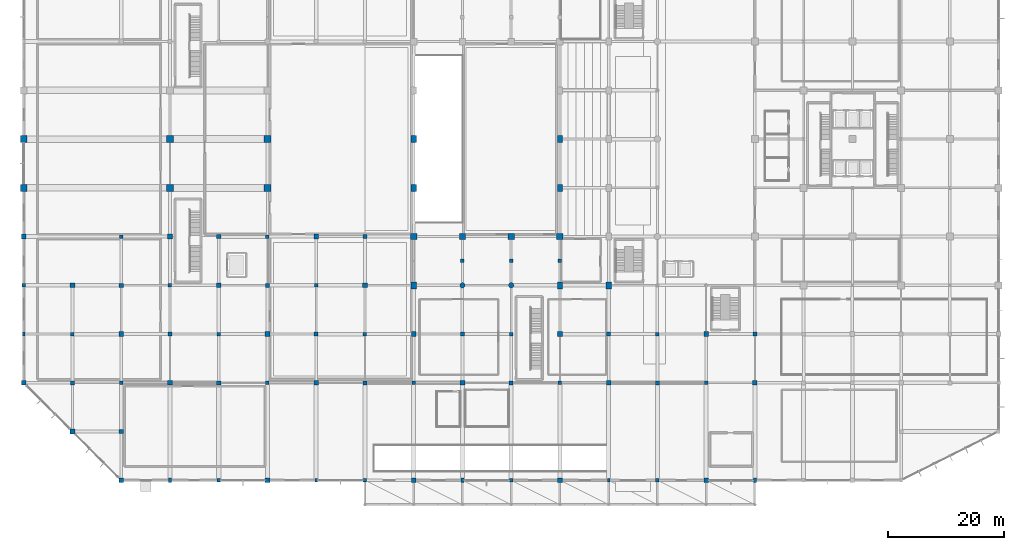
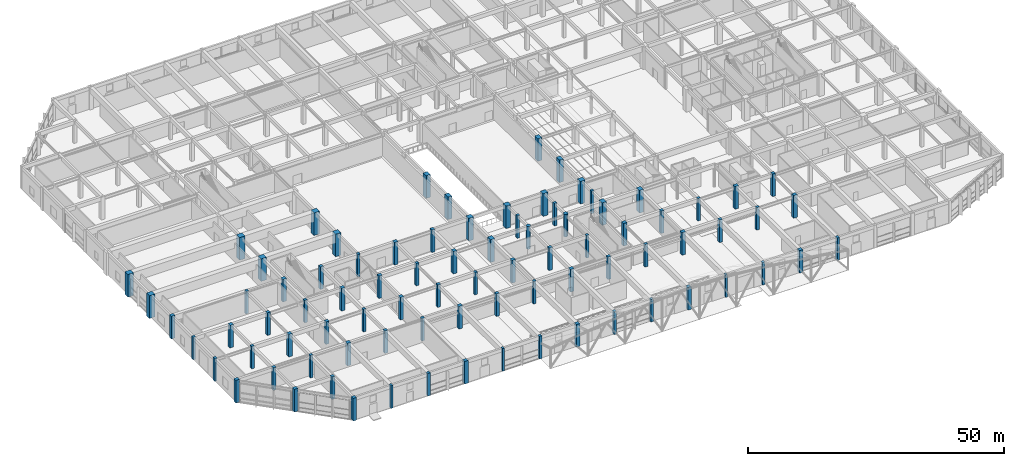
# One storey, part 1 of 62: 85 columns.
"""IFC4 building model written with IfcOpenShell, lengths in metres."""

from ifc_helpers import new_model, si_unit, direction, frame, origin, origin_2d, place, context, subcontext, project, spatial, rectangle, circle, extrude, material, material_profile, profile_set, type_object, element, save


model = new_model("IFC4")

# Units and contexts
model_context = context("Model", 3, precision=1e-05, world=origin(), true_north=direction((0.0, 1.0)))
body_context = subcontext(model_context, "Body", "Model", "MODEL_VIEW")
ifc_project = project(units=[si_unit("LENGTHUNIT", "METRE"), si_unit("AREAUNIT", "SQUARE_METRE"), si_unit("VOLUMEUNIT", "CUBIC_METRE"), si_unit("PLANEANGLEUNIT", "RADIAN"), si_unit("MASSUNIT", "GRAM", prefix="KILO")], contexts=[model_context])

# Site, building, storey
site_placement = place(None, origin())
site = spatial("IfcSite", under=ifc_project, at=site_placement, CompositionType="ELEMENT")
building_placement = place(site_placement, origin())
building = spatial("IfcBuilding", under=site, at=building_placement, Name="Xuanlan Plaza Opera House", CompositionType="ELEMENT")
storey_placement = place(building_placement, origin())
storey = spatial("IfcBuildingStorey", under=building, at=storey_placement, Name="L00", CompositionType="ELEMENT", Elevation=0.0)

# Columns
ifc_material_1 = material(Name="Concrete C60", Category="concrete")
ifc_material_profile_1 = material_profile(ifc_material_1, rectangle(XDim=1.199951171875, YDim=1.199951171875, at=origin_2d()), Name="RC-COL 1200x1200")
ifc_profile_set_1 = profile_set([ifc_material_profile_1], Name="Concrete C60")
column_type_1 = type_object("IfcColumnType", Name="STR-COL-C-02", PredefinedType="COLUMN", material=ifc_profile_set_1)
for number, where, z_axis, x_axis, name in (
    (1, (0.0, 50.39990234375, 0.0), (0.0, 0.0, 1.0), (1.0, 0.0, 0.0), "Column L00 1-G"),
    (2, (0.0, 58.800048828125, 0.0), (0.0, 0.0, 1.0), (1.0, 0.0, 0.0), "Column L00 1-H"),
    (3, (25.199951171875, 50.39990234375, 0.0), (0.0, 0.0, 1.0), (1.0, 0.0, 0.0), "Column L00 4-G"),
    (4, (25.199951171875, 58.800048828125, 0.0), (0.0, 0.0, 1.0), (1.0, 0.0, 0.0), "Column L00 4-H"),
    (5, (42.0, 50.39990234375, 0.0), (0.0, 0.0, 1.0), (1.0, 0.0, 0.0), "Column L00 6-G"),
    (6, (42.0, 58.800048828125, 0.0), (0.0, 0.0, 1.0), (1.0, 0.0, 0.0), "Column L00 6-H"),
):
    element("IfcColumn", number, at=place(storey_placement, frame(where, z_axis=z_axis, x_axis=x_axis)), inside=storey, type_object=column_type_1, Name=name, PredefinedType="COLUMN", context=body_context, shape_type="SweptSolid", body=[
        extrude(rectangle(XDim=1.199951171875, YDim=1.199951171875, at=origin_2d()), origin(), (0.0, 0.0, 1.0), 5.39990234375),
    ])
ifc_material_2 = material(Name="Concrete C50", Category="concrete")
ifc_material_profile_2 = material_profile(ifc_material_2, rectangle(XDim=1.10009765625, YDim=1.10009765625, at=origin_2d()), Name="RC-COL 1100x1100")
ifc_profile_set_2 = profile_set([ifc_material_profile_2], Name="Concrete C50")
column_type_2 = type_object("IfcColumnType", Name="STR-COL-C-03", PredefinedType="COLUMN", material=ifc_profile_set_2)
for number, where, z_axis, x_axis, name in (
    (7, (67.199951171875, 42.0, 0.0), (0.0, 0.0, 1.0), (1.0, 0.0, 0.0), "Column L00 9-F"),
    (8, (75.60009765625, 42.0, 0.0), (0.0, 0.0, 1.0), (1.0, 0.0, 0.0), "Column L00 10-F"),
    (9, (84.0, 42.0, 0.0), (0.0, 0.0, 1.0), (1.0, 0.0, 0.0), "Column L00 11-F"),
    (10, (92.39990234375, 42.0, 0.0), (0.0, 0.0, 1.0), (1.0, 0.0, 0.0), "Column L00 12-F"),
):
    element("IfcColumn", number, at=place(storey_placement, frame(where, z_axis=z_axis, x_axis=x_axis)), inside=storey, type_object=column_type_2, Name=name, PredefinedType="COLUMN", context=body_context, shape_type="SweptSolid", body=[
        extrude(rectangle(XDim=1.10009765625, YDim=1.10009765625, at=origin_2d()), origin(), (0.0, 0.0, 1.0), 5.39990234375),
    ])
ifc_material_3 = material(Name="Concrete C40", Category="concrete")
ifc_material_profile_3 = material_profile(ifc_material_3, rectangle(XDim=0.800048828125, YDim=0.800048828125, at=origin_2d()), Name="RC-COL 800x800")
ifc_profile_set_3 = profile_set([ifc_material_profile_3], Name="Concrete C40")
column_type_3 = type_object("IfcColumnType", Name="STR-COL-C-06", PredefinedType="COLUMN", material=ifc_profile_set_3)
for number, where, z_axis, x_axis, name in (
    (11, (0.0, 16.800048828125, 0.0), (0.0, 0.0, 1.0), (1.0, 0.0, 0.0), "Column L00 1-C"),
    (12, (0.0, 42.0, 0.0), (0.0, 0.0, 1.0), (1.0, 0.0, 0.0), "Column L00 1-F"),
    (13, (8.39990234375, 8.39990234375, 0.0), (0.0, 0.0, 1.0), (1.0, 0.0, 0.0), "Column L00 2-B"),
    (14, (8.39990234375, 33.60009765625, 0.0), (0.0, 0.0, 1.0), (1.0, 0.0, 0.0), "Column L00 2-E"),
    (15, (16.800048828125, 0.0, 0.0), (0.0, 0.0, 1.0), (1.0, 0.0, 0.0), "Column L00 3-A"),
    (16, (16.800048828125, 25.199951171875, 0.0), (0.0, 0.0, 1.0), (1.0, 0.0, 0.0), "Column L00 3-D"),
    (17, (25.199951171875, 16.800048828125, 0.0), (0.0, 0.0, 1.0), (1.0, 0.0, 0.0), "Column L00 4-C"),
    (18, (25.199951171875, 42.0, 0.0), (0.0, 0.0, 1.0), (1.0, 0.0, 0.0), "Column L00 4-F"),
    (19, (33.60009765625, 33.60009765625, 0.0), (0.0, 0.0, 1.0), (1.0, 0.0, 0.0), "Column L00 5-E"),
    (20, (42.0, 0.0, 0.0), (0.0, 0.0, 1.0), (1.0, 0.0, 0.0), "Column L00 6-A"),
    (21, (42.0, 25.199951171875, 0.0), (0.0, 0.0, 1.0), (1.0, 0.0, 0.0), "Column L00 6-D"),
    (22, (50.39990234375, 16.800048828125, 0.0), (0.0, 0.0, 1.0), (1.0, 0.0, 0.0), "Column L00 7-C"),
    (23, (50.39990234375, 42.0, 0.0), (0.0, 0.0, 1.0), (1.0, 0.0, 0.0), "Column L00 7-F"),
    (24, (58.800048828125, 33.60009765625, 0.0), (0.0, 0.0, 1.0), (1.0, 0.0, 0.0), "Column L00 8-E"),
    (25, (67.199951171875, 0.0, 0.0), (0.0, 0.0, 1.0), (1.0, 0.0, 0.0), "Column L00 9-A"),
    (26, (67.199951171875, 25.199951171875, 0.0), (0.0, 0.0, 1.0), (1.0, 0.0, 0.0), "Column L00 9-D"),
    (27, (75.60009765625, 16.800048828125, 0.0), (0.0, 0.0, 1.0), (1.0, 0.0, 0.0), "Column L00 10-C"),
    (28, (92.39990234375, 0.0, 0.0), (0.0, 0.0, 1.0), (1.0, 0.0, 0.0), "Column L00 12-A"),
    (29, (92.39990234375, 25.199951171875, 0.0), (0.0, 0.0, 1.0), (1.0, 0.0, 0.0), "Column L00 12-D"),
    (30, (100.800048828125, 16.800048828125, 0.0), (0.0, 0.0, 1.0), (1.0, 0.0, 0.0), "Column L00 13-C"),
    (31, (117.60009765625, 0.0, 0.0), (0.0, 0.0, 1.0), (1.0, 0.0, 0.0), "Column L00 15-A"),
    (32, (117.60009765625, 25.199951171875, 0.0), (0.0, 0.0, 1.0), (1.0, 0.0, 0.0), "Column L00 15-D"),
    (33, (126.0, 16.800048828125, 0.0), (0.0, 0.0, 1.0), (1.0, 0.0, 0.0), "Column L00 16-C"),
):
    element("IfcColumn", number, at=place(storey_placement, frame(where, z_axis=z_axis, x_axis=x_axis)), inside=storey, type_object=column_type_3, Name=name, PredefinedType="COLUMN", context=body_context, shape_type="SweptSolid", body=[
        extrude(rectangle(XDim=0.800048828125, YDim=0.800048828125, at=origin_2d()), origin(), (0.0, 0.0, 1.0), 5.39990234375),
    ])
ifc_material_profile_4 = material_profile(ifc_material_3, rectangle(XDim=0.699951171875, YDim=0.699951171875, at=origin_2d()), Name="RC-COL 700x700")
ifc_profile_set_4 = profile_set([ifc_material_profile_4], Name="Concrete C40")
column_type_4 = type_object("IfcColumnType", Name="STR-COL-C-07", PredefinedType="COLUMN", material=ifc_profile_set_4)
for number, where, z_axis, x_axis, name in (
    (34, (8.39990234375, 16.800048828125, 0.0), (0.0, 0.0, 1.0), (1.0, 0.0, 0.0), "Column L00 2-C"),
    (35, (16.800048828125, 8.39990234375, 0.0), (0.0, 0.0, 1.0), (1.0, 0.0, 0.0), "Column L00 3-B"),
    (36, (16.800048828125, 33.60009765625, 0.0), (0.0, 0.0, 1.0), (1.0, 0.0, 0.0), "Column L00 3-E"),
    (37, (25.199951171875, 25.199951171875, 0.0), (0.0, 0.0, 1.0), (1.0, 0.0, 0.0), "Column L00 4-D"),
    (38, (33.60009765625, 16.800048828125, 0.0), (0.0, 0.0, 1.0), (1.0, 0.0, 0.0), "Column L00 5-C"),
    (39, (33.60009765625, 42.0, 0.0), (0.0, 0.0, 1.0), (1.0, 0.0, 0.0), "Column L00 5-F"),
    (40, (42.0, 33.60009765625, 0.0), (0.0, 0.0, 1.0), (1.0, 0.0, 0.0), "Column L00 6-E"),
    (41, (50.39990234375, 25.199951171875, 0.0), (0.0, 0.0, 1.0), (1.0, 0.0, 0.0), "Column L00 7-D"),
    (42, (58.800048828125, 16.800048828125, 0.0), (0.0, 0.0, 1.0), (1.0, 0.0, 0.0), "Column L00 8-C"),
    (43, (58.800048828125, 42.0, 0.0), (0.0, 0.0, 1.0), (1.0, 0.0, 0.0), "Column L00 8-F"),
    (44, (75.60009765625, 25.199951171875, 0.0), (0.0, 0.0, 1.0), (1.0, 0.0, 0.0), "Column L00 10-D"),
    (45, (84.0, 16.800048828125, 0.0), (0.0, 0.0, 1.0), (1.0, 0.0, 0.0), "Column L00 11-C"),
    (46, (100.800048828125, 25.199951171875, 0.0), (0.0, 0.0, 1.0), (1.0, 0.0, 0.0), "Column L00 13-D"),
    (47, (109.199951171875, 16.800048828125, 0.0), (0.0, 0.0, 1.0), (1.0, 0.0, 0.0), "Column L00 14-C"),
    (48, (126.0, 25.199951171875, 0.0), (0.0, 0.0, 1.0), (1.0, 0.0, 0.0), "Column L00 16-D"),
):
    element("IfcColumn", number, at=place(storey_placement, frame(where, z_axis=z_axis, x_axis=x_axis)), inside=storey, type_object=column_type_4, Name=name, PredefinedType="COLUMN", context=body_context, shape_type="SweptSolid", body=[
        extrude(rectangle(XDim=0.699951171875, YDim=0.699951171875, at=origin_2d()), origin(), (0.0, 0.0, 1.0), 5.39990234375),
    ])
ifc_material_profile_5 = material_profile(ifc_material_3, rectangle(XDim=0.60009765625, YDim=0.60009765625, at=origin_2d()), Name="RC-COL 600x600")
ifc_profile_set_5 = profile_set([ifc_material_profile_5], Name="Concrete C40")
column_type_5 = type_object("IfcColumnType", Name="STR-COL-C-08", PredefinedType="COLUMN", material=ifc_profile_set_5)
for number, where, z_axis, x_axis, name in (
    (49, (0.0, 33.60009765625, 0.0), (0.0, 0.0, 1.0), (1.0, 0.0, 0.0), "Column L00 1-E"),
    (50, (8.39990234375, 25.199951171875, 0.0), (0.0, 0.0, 1.0), (1.0, 0.0, 0.0), "Column L00 2-D"),
    (51, (16.800048828125, 16.800048828125, 0.0), (0.0, 0.0, 1.0), (1.0, 0.0, 0.0), "Column L00 3-C"),
    (52, (16.800048828125, 42.0, 0.0), (0.0, 0.0, 1.0), (1.0, 0.0, 0.0), "Column L00 3-F"),
    (53, (25.199951171875, 33.60009765625, 0.0), (0.0, 0.0, 1.0), (1.0, 0.0, 0.0), "Column L00 4-E"),
    (54, (33.60009765625, 0.0, 0.0), (0.0, 0.0, 1.0), (1.0, 0.0, 0.0), "Column L00 5-A"),
    (55, (33.60009765625, 25.199951171875, 0.0), (0.0, 0.0, 1.0), (1.0, 0.0, 0.0), "Column L00 5-D"),
    (56, (42.0, 16.800048828125, 0.0), (0.0, 0.0, 1.0), (1.0, 0.0, 0.0), "Column L00 6-C"),
    (57, (42.0, 42.0, 0.0), (0.0, 0.0, 1.0), (1.0, 0.0, 0.0), "Column L00 6-F"),
    (58, (50.39990234375, 33.60009765625, 0.0), (0.0, 0.0, 1.0), (1.0, 0.0, 0.0), "Column L00 7-E"),
    (59, (58.800048828125, 0.0, 0.0), (0.0, 0.0, 1.0), (1.0, 0.0, 0.0), "Column L00 8-A"),
    (60, (58.800048828125, 25.199951171875, 0.0), (0.0, 0.0, 1.0), (1.0, 0.0, 0.0), "Column L00 8-D"),
    (61, (67.199951171875, 16.800048828125, 0.0), (0.0, 0.0, 1.0), (1.0, 0.0, 0.0), "Column L00 9-C"),
    (62, (84.0, 0.0, 0.0), (0.0, 0.0, 1.0), (1.0, 0.0, 0.0), "Column L00 11-A"),
    (63, (84.0, 25.199951171875, 0.0), (0.0, 0.0, 1.0), (1.0, 0.0, 0.0), "Column L00 11-D"),
    (64, (92.39990234375, 16.800048828125, 0.0), (0.0, 0.0, 1.0), (1.0, 0.0, 0.0), "Column L00 12-C"),
    (65, (109.199951171875, 0.0, 0.0), (0.0, 0.0, 1.0), (1.0, 0.0, 0.0), "Column L00 14-A"),
    (66, (109.199951171875, 25.199951171875, 0.0), (0.0, 0.0, 1.0), (1.0, 0.0, 0.0), "Column L00 14-D"),
    (67, (117.60009765625, 16.800048828125, 0.0), (0.0, 0.0, 1.0), (1.0, 0.0, 0.0), "Column L00 15-C"),
    (68, (75.60009765625, 37.800048828125, 0.0), (0.0, 0.0, 1.0), (1.0, 0.0, 0.0), "Side Tier Support Column L00 S X75"),
    (69, (84.0, 37.800048828125, 0.0), (0.0, 0.0, 1.0), (1.0, 0.0, 0.0), "Side Tier Support Column L00 S X84"),
    (70, (92.39990234375, 37.800048828125, 0.0), (0.0, 0.0, 1.0), (1.0, 0.0, 0.0), "Side Tier Support Column L00 S X92"),
):
    element("IfcColumn", number, at=place(storey_placement, frame(where, z_axis=z_axis, x_axis=x_axis)), inside=storey, type_object=column_type_5, Name=name, PredefinedType="COLUMN", context=body_context, shape_type="SweptSolid", body=[
        extrude(rectangle(XDim=0.60009765625, YDim=0.60009765625, at=origin_2d()), origin(), (0.0, 0.0, 1.0), 5.39990234375),
    ])
ifc_material_profile_6 = material_profile(ifc_material_2, rectangle(XDim=0.89990234375, YDim=1.199951171875, at=origin_2d()), Name="RC-COL 900x1200")
ifc_profile_set_6 = profile_set([ifc_material_profile_6], Name="Concrete C50")
column_type_6 = type_object("IfcColumnType", Name="STR-COL-C-10", PredefinedType="COLUMN", material=ifc_profile_set_6)
for number, where, z_axis, x_axis, name in (
    (71, (67.199951171875, 33.60009765625, 0.0), (0.0, 0.0, 1.0), (1.0, 0.0, 0.0), "Column L00 9-E"),
    (72, (67.199951171875, 50.39990234375, 0.0), (0.0, 0.0, 1.0), (1.0, 0.0, 0.0), "Column L00 9-G"),
    (73, (67.199951171875, 58.800048828125, 0.0), (0.0, 0.0, 1.0), (1.0, 0.0, 0.0), "Column L00 9-H"),
    (74, (92.39990234375, 33.60009765625, 0.0), (0.0, 0.0, 1.0), (1.0, 0.0, 0.0), "Column L00 12-E"),
    (75, (92.39990234375, 50.39990234375, 0.0), (0.0, 0.0, 1.0), (1.0, 0.0, 0.0), "Column L00 12-G"),
    (76, (92.39990234375, 58.800048828125, 0.0), (0.0, 0.0, 1.0), (1.0, 0.0, 0.0), "Column L00 12-H"),
    (77, (100.800048828125, 33.60009765625, 0.0), (0.0, 0.0, 1.0), (1.0, 0.0, 0.0), "Column L00 13-E"),
):
    element("IfcColumn", number, at=place(storey_placement, frame(where, z_axis=z_axis, x_axis=x_axis)), inside=storey, type_object=column_type_6, Name=name, PredefinedType="COLUMN", context=body_context, shape_type="SweptSolid", body=[
        extrude(rectangle(XDim=0.89990234375, YDim=1.199951171875, at=origin_2d()), origin(), (0.0, 0.0, 1.0), 5.39990234375),
    ])
ifc_material_profile_7 = material_profile(ifc_material_3, circle(Radius=0.449951171875, at=origin_2d()), Name="RC-COL D900")
ifc_profile_set_7 = profile_set([ifc_material_profile_7], Name="Concrete C40")
column_type_7 = type_object("IfcColumnType", Name="STR-COL-C-12", PredefinedType="COLUMN", material=ifc_profile_set_7)
for number, where, z_axis, x_axis, name in (
    (78, (75.60009765625, 33.60009765625, 0.0), (0.0, 0.0, 1.0), (1.0, 0.0, 0.0), "Column L00 10-E"),
    (79, (84.0, 33.60009765625, 0.0), (0.0, 0.0, 1.0), (1.0, 0.0, 0.0), "Column L00 11-E"),
):
    element("IfcColumn", number, at=place(storey_placement, frame(where, z_axis=z_axis, x_axis=x_axis)), inside=storey, type_object=column_type_7, Name=name, PredefinedType="COLUMN", context=body_context, shape_type="SweptSolid", body=[
        extrude(circle(Radius=0.449951171875, at=origin_2d()), origin(), (0.0, 0.0, 1.0), 5.39990234375),
    ])
ifc_material_profile_8 = material_profile(ifc_material_3, rectangle(XDim=0.449951171875, YDim=0.64990234375, at=origin_2d()), Name="RC-PIL 450x650")
ifc_profile_set_8 = profile_set([ifc_material_profile_8], Name="Concrete C40")
column_type_8 = type_object("IfcColumnType", Name="STR-COL-PL-01", PredefinedType="PILASTER", material=ifc_profile_set_8)
for number, where, z_axis, x_axis, name in (
    (80, (50.39990234375, 0.0, 0.0), (0.0, 0.0, 1.0), (1.0, 0.0, 0.0), "Column L00 7-A"),
    (81, (100.800048828125, 0.0, 0.0), (0.0, 0.0, 1.0), (1.0, 0.0, 0.0), "Column L00 13-A"),
):
    element("IfcColumn", number, at=place(storey_placement, frame(where, z_axis=z_axis, x_axis=x_axis)), inside=storey, type_object=column_type_8, Name=name, PredefinedType="PILASTER", context=body_context, shape_type="SweptSolid", body=[
        extrude(rectangle(XDim=0.449951171875, YDim=0.64990234375, at=origin_2d()), origin(), (0.0, 0.0, 1.0), 5.39990234375),
    ])
ifc_material_profile_9 = material_profile(ifc_material_3, rectangle(XDim=0.5, YDim=0.75, at=origin_2d()), Name="RC-PIL 500x750")
ifc_profile_set_9 = profile_set([ifc_material_profile_9], Name="Concrete C40")
column_type_9 = type_object("IfcColumnType", Name="STR-COL-PL-02", PredefinedType="PILASTER", material=ifc_profile_set_9)
for number, where, z_axis, x_axis, name in (
    (82, (0.0, 25.199951171875, 0.0), (0.0, 0.0, 1.0), (1.0, 0.0, 0.0), "Column L00 1-D"),
    (83, (25.199951171875, 0.0, 0.0), (0.0, 0.0, 1.0), (1.0, 0.0, 0.0), "Column L00 4-A"),
    (84, (75.60009765625, 0.0, 0.0), (0.0, 0.0, 1.0), (1.0, 0.0, 0.0), "Column L00 10-A"),
    (85, (126.0, 0.0, 0.0), (0.0, 0.0, 1.0), (1.0, 0.0, 0.0), "Column L00 16-A"),
):
    element("IfcColumn", number, at=place(storey_placement, frame(where, z_axis=z_axis, x_axis=x_axis)), inside=storey, type_object=column_type_9, Name=name, PredefinedType="PILASTER", context=body_context, shape_type="SweptSolid", body=[
        extrude(rectangle(XDim=0.5, YDim=0.75, at=origin_2d()), origin(), (0.0, 0.0, 1.0), 5.39990234375),
    ])

save(model, "model.ifc")
